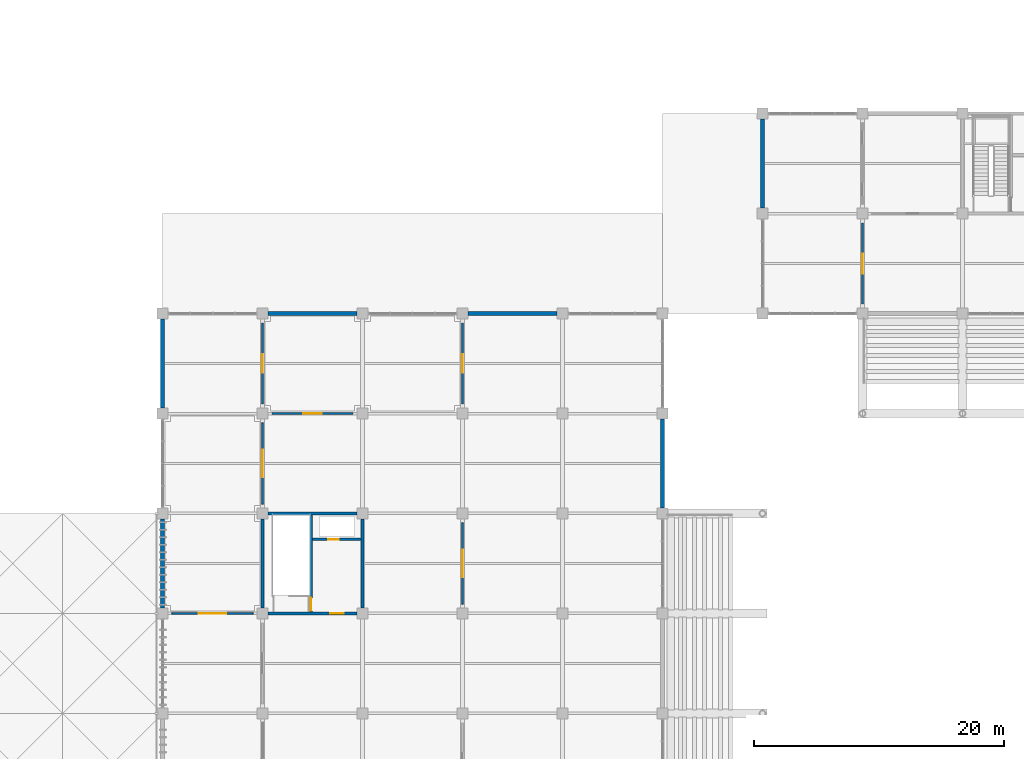
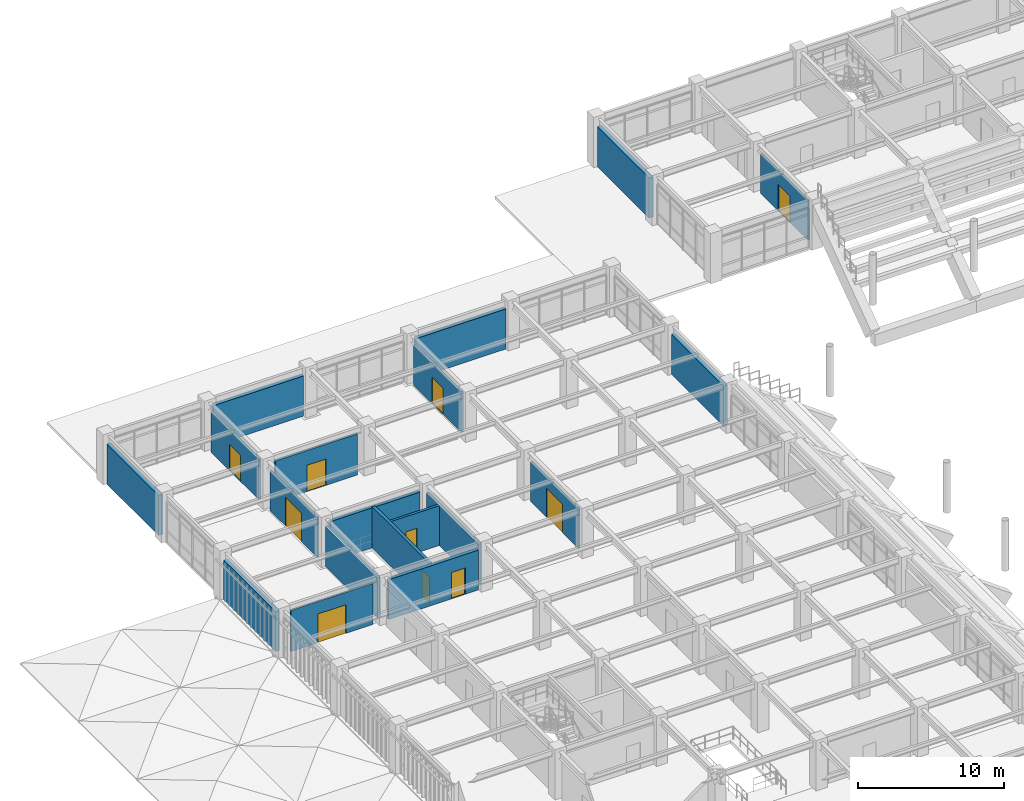
# One storey, part 94 of 118: 19 walls, 10 doors, 10 openings.
"""IFC4 building model written with IfcOpenShell, lengths in metres."""

from ifc_helpers import new_model, si_unit, direction, frame, frame_2d, origin, place, context, subcontext, project, spatial, rectangle, extrude, material, layer, layer_set, type_object, element, fill, save


model = new_model("IFC4")

# Units and contexts
model_context = context("Model", 3, precision=1e-05, world=origin(), true_north=direction((0.0, 1.0)))
body_context = subcontext(model_context, "Body", "Model", "MODEL_VIEW")
ifc_project = project(units=[si_unit("LENGTHUNIT", "METRE"), si_unit("AREAUNIT", "SQUARE_METRE"), si_unit("VOLUMEUNIT", "CUBIC_METRE"), si_unit("PLANEANGLEUNIT", "RADIAN"), si_unit("MASSUNIT", "GRAM", prefix="KILO")], contexts=[model_context])

# Site, building, storey
site_placement = place(None, origin())
site = spatial("IfcSite", under=ifc_project, at=site_placement, CompositionType="ELEMENT")
building_placement = place(site_placement, origin())
building = spatial("IfcBuilding", under=site, at=building_placement, Name="Haebicheon Civic Stadium", CompositionType="ELEMENT")
storey_placement = place(building_placement, frame((0.0, 0.0, 14.39990234375)))
storey = spatial("IfcBuildingStorey", under=building, at=storey_placement, Name="L04", CompositionType="ELEMENT", Elevation=14.39990234375)

# Wall, opening, door
ifc_material_1 = material(Name="Concrete C40/50", Category="concrete")
ifc_layer_1 = layer(ifc_material_1, 0.239990234375, Name="Concrete C40/50")
ifc_layer_set_1 = layer_set([ifc_layer_1], Name="Concrete C40/50")
wall_type_1 = type_object("IfcWallType", Name="CW-SHR-240", PredefinedType="SHEAR", material=ifc_layer_set_1)
wall_1_placement = place(storey_placement, frame((32.449951171875, 128.0, 0.0), z_axis=(0.0, 0.0, 1.0), x_axis=(1.0, 0.0, 0.0)))
wall_1 = element("IfcWall", 1, at=wall_1_placement, inside=storey, type_object=wall_type_1, material=ifc_layer_set_1, Name="KC-05 L04 south core shear wall", PredefinedType="SHEAR", context=body_context, shape_type="SweptSolid", body=[
    extrude(rectangle(XDim=7.10009765625, YDim=0.239990234375, at=frame_2d((3.550048828125, 0.0))), origin(), (0.0, 0.0, 1.0), 3.330078125),
])
opening_1_placement = place(wall_1_placement, frame((4.949951171875, 0.0, 0.0)))
opening_1 = element("IfcOpeningElement", 2, at=opening_1_placement, cuts=wall_1, Name="Opening D-L04-KC-05-LOB", PredefinedType="OPENING", context=body_context, shape_type="SweptSolid", body=[
    extrude(rectangle(XDim=1.10009765625, YDim=2.199951171875, at=frame_2d((0.550048828125, 1.10009765625))), frame((0.0, 0.1298828125, 0.0), z_axis=(0.0, -1.0, 0.0), x_axis=(1.0, 0.0, 0.0)), (0.0, 0.0, 1.0), 0.260009765625),
])
ifc_material_2 = material(Name="Galvanised painted steel SM355", Category="steel")
door_type_1 = type_object("IfcDoorType", Name="ID-FD-1100", OperationType="NOTDEFINED", PredefinedType="DOOR", material=ifc_material_2)
door_1_placement = place(opening_1_placement, origin())
door_1 = element("IfcDoor", 3, at=door_1_placement, inside=storey, type_object=door_type_1, material=ifc_material_2, Name="L04 KC-05 lobby fire door", OperationType="SINGLE_SWING_RIGHT", OverallHeight=2.199951171875, OverallWidth=1.10009765625, PredefinedType="DOOR", context=body_context, shape_type="SweptSolid", body=[
    extrude(rectangle(XDim=1.10009765625, YDim=2.199951171875, at=frame_2d((0.550048828125, 1.10009765625))), frame((0.0, 0.02490234375, 0.0), z_axis=(0.0, -1.0, 0.0), x_axis=(1.0, 0.0, 0.0)), (0.0, 0.0, 1.0), 0.050048828125),
])
fill(opening_1, door_1)

# Walls
for number, where, z_axis, x_axis, name in (
    (4, (32.449951171875, 136.0, 0.0), (0.0, 0.0, 1.0), (1.0, 0.0, 0.0), "KC-05 L04 north core shear wall"),
    (5, (32.0, 128.449951171875, 0.0), (0.0, 0.0, 1.0), (0.0, 1.0, 0.0), "KC-05 L04 west core shear wall"),
    (6, (40.0, 128.449951171875, 0.0), (0.0, 0.0, 1.0), (0.0, 1.0, 0.0), "KC-05 L04 east core shear wall"),
):
    element("IfcWall", number, at=place(storey_placement, frame(where, z_axis=z_axis, x_axis=x_axis)), inside=storey, type_object=wall_type_1, material=ifc_layer_set_1, Name=name, PredefinedType="SHEAR", context=body_context, shape_type="SweptSolid", body=[
        extrude(rectangle(XDim=7.10009765625, YDim=0.239990234375, at=frame_2d((3.550048828125, 0.0))), origin(), (0.0, 0.0, 1.0), 3.330078125),
    ])

# Wall, opening, door
wall_2_placement = place(storey_placement, frame((35.8798828125, 128.1201171875, 0.0), z_axis=(0.0, 0.0, 1.0), x_axis=(0.0, 1.0, 0.0)))
wall_2 = element("IfcWall", 7, at=wall_2_placement, inside=storey, type_object=wall_type_1, material=ifc_layer_set_1, Name="KC-05 L04 stair-lobby dividing shear wall", PredefinedType="SHEAR", context=body_context, shape_type="SweptSolid", body=[
    extrude(rectangle(XDim=7.759765625, YDim=0.239990234375, at=frame_2d((3.8798828125, 0.0))), origin(), (0.0, 0.0, 1.0), 3.43017578125),
])
opening_2_placement = place(wall_2_placement, frame((0.080078125, 0.0, 0.0)))
opening_2 = element("IfcOpeningElement", 8, at=opening_2_placement, cuts=wall_2, Name="Opening D-L04-KC-05-STR", PredefinedType="OPENING", context=body_context, shape_type="SweptSolid", body=[
    extrude(rectangle(XDim=1.050048828125, YDim=2.14990234375, at=frame_2d((0.52490234375, 1.074951171875))), frame((0.0, 0.1298828125, 0.0), z_axis=(0.0, -1.0, 0.0), x_axis=(1.0, 0.0, 0.0)), (0.0, 0.0, 1.0), 0.260009765625),
])
ifc_material_3 = material(Name="Galvanised painted steel SM355", Category="steel")
door_type_2 = type_object("IfcDoorType", Name="ID-FD-1050", OperationType="NOTDEFINED", PredefinedType="DOOR", material=ifc_material_3)
door_2_placement = place(opening_2_placement, origin())
door_2 = element("IfcDoor", 9, at=door_2_placement, inside=storey, type_object=door_type_2, material=ifc_material_3, Name="L04 ST-05 stairwell escape door", OperationType="SINGLE_SWING_LEFT", OverallHeight=2.14990234375, OverallWidth=1.050048828125, PredefinedType="DOOR", context=body_context, shape_type="SweptSolid", body=[
    extrude(rectangle(XDim=1.050048828125, YDim=2.14990234375, at=frame_2d((0.52490234375, 1.074951171875))), frame((0.0, 0.02490234375, 0.0), z_axis=(0.0, -1.0, 0.0), x_axis=(1.0, 0.0, 0.0)), (0.0, 0.0, 1.0), 0.050048828125),
])
fill(opening_2, door_2)

# Walls
ifc_material_4 = material(Name="Precast concrete C40/50", Category="concrete")
ifc_layer_2 = layer(ifc_material_4, 0.320068359375, Name="Precast concrete C40/50")
ifc_layer_set_2 = layer_set([ifc_layer_2], Name="Precast concrete C40/50")
wall_type_2 = type_object("IfcWallType", Name="EW-BM-320", PredefinedType="SOLIDWALL", material=ifc_layer_set_2)
for number, where, z_axis, x_axis, name in (
    (10, (24.0, 128.449951171875, 0.0), (0.0, 0.0, 1.0), (0.0, 1.0, 0.0), "L04 board-marked concrete facade wall 03-16-W"),
    (11, (24.0, 144.449951171875, 0.0), (0.0, 0.0, 1.0), (0.0, 1.0, 0.0), "L04 board-marked concrete facade wall 03-18-W"),
):
    element("IfcWall", number, at=place(storey_placement, frame(where, z_axis=z_axis, x_axis=x_axis)), inside=storey, type_object=wall_type_2, material=ifc_layer_set_2, Name=name, PredefinedType="SOLIDWALL", context=body_context, shape_type="SweptSolid", body=[
        extrude(rectangle(XDim=7.10009765625, YDim=0.320068359375, at=frame_2d((3.550048828125, 0.0))), origin(), (0.0, 0.0, 1.0), 3.330078125),
    ])
for number, where, z_axis, x_axis, name in (
    (12, (32.449951171875, 152.0, 0.0), (0.0, 0.0, 1.0), (1.0, 0.0, 0.0), "L04 board-marked concrete facade wall 04-19-N"),
    (13, (48.449951171875, 152.0, 0.0), (0.0, 0.0, 1.0), (1.0, 0.0, 0.0), "L04 board-marked concrete facade wall 06-19-N"),
):
    element("IfcWall", number, at=place(storey_placement, frame(where, z_axis=z_axis, x_axis=x_axis)), inside=storey, type_object=wall_type_2, material=ifc_layer_set_2, Name=name, PredefinedType="SOLIDWALL", context=body_context, shape_type="SweptSolid", body=[
        extrude(rectangle(XDim=7.10009765625, YDim=0.320068359375, at=frame_2d((3.550048828125, 0.0))), origin(), (0.0, 0.0, 1.0), 3.35009765625),
    ])
wall_3_placement = place(storey_placement, frame((64.0, 136.449951171875, 0.0), z_axis=(0.0, 0.0, 1.0), x_axis=(0.0, 1.0, 0.0)))
element("IfcWall", 14, at=wall_3_placement, inside=storey, type_object=wall_type_2, material=ifc_layer_set_2, Name="L04 board-marked concrete facade wall 08-17-E", PredefinedType="SOLIDWALL", context=body_context, shape_type="SweptSolid", body=[
    extrude(rectangle(XDim=7.10009765625, YDim=0.320068359375, at=frame_2d((3.550048828125, 0.0))), origin(), (0.0, 0.0, 1.0), 3.34619140625),
])
wall_4_placement = place(storey_placement, frame((72.0, 160.449951171875, 0.0), z_axis=(0.0, 0.0, 1.0), x_axis=(0.0, 1.0, 0.0)))
element("IfcWall", 15, at=wall_4_placement, inside=storey, type_object=wall_type_2, material=ifc_layer_set_2, Name="L04 board-marked concrete facade wall 09-20-W", PredefinedType="SOLIDWALL", context=body_context, shape_type="SweptSolid", body=[
    extrude(rectangle(XDim=7.10009765625, YDim=0.320068359375, at=frame_2d((3.550048828125, 0.0))), origin(), (0.0, 0.0, 1.0), 3.35009765625),
])

# Wall, opening, door
ifc_material_5 = material(Name="Concrete C35/45", Category="concrete")
ifc_layer_3 = layer(ifc_material_5, 0.199951171875, Name="Concrete C35/45")
ifc_layer_set_3 = layer_set([ifc_layer_3], Name="Concrete C35/45")
wall_type_3 = type_object("IfcWallType", Name="IW-FIR-200", PredefinedType="PARTITIONING", material=ifc_layer_set_3)
wall_5_placement = place(storey_placement, frame((36.0, 133.919921875, 0.0), z_axis=(0.0, 0.0, 1.0), x_axis=(1.0, 0.0, 0.0)))
wall_5 = element("IfcWall", 16, at=wall_5_placement, inside=storey, type_object=wall_type_3, material=ifc_layer_set_3, Name="KC-05 L04 service riser wall", PredefinedType="PARTITIONING", context=body_context, shape_type="SweptSolid", body=[
    extrude(rectangle(XDim=3.8798828125, YDim=0.199951171875, at=frame_2d((1.93994140625, 0.0))), origin(), (0.0, 0.0, 1.0), 3.330078125),
])
opening_3_placement = place(wall_5_placement, frame((1.25, 0.0, 0.0)))
opening_3 = element("IfcOpeningElement", 17, at=opening_3_placement, cuts=wall_5, Name="Opening D-L04-KC-05-RSR", PredefinedType="OPENING", context=body_context, shape_type="SweptSolid", body=[
    extrude(rectangle(XDim=0.85009765625, YDim=2.050048828125, at=frame_2d((0.425048828125, 1.02490234375))), frame((0.0, 0.10986328125, 0.0), z_axis=(0.0, -1.0, 0.0), x_axis=(1.0, 0.0, 0.0)), (0.0, 0.0, 1.0), 0.219970703125),
])
ifc_material_6 = material(Name="Galvanised painted steel SM355", Category="steel")
door_type_3 = type_object("IfcDoorType", Name="ID-RSR-0850", OperationType="NOTDEFINED", PredefinedType="TRAPDOOR", material=ifc_material_6)
door_3_placement = place(opening_3_placement, origin())
door_3 = element("IfcDoor", 18, at=door_3_placement, inside=storey, type_object=door_type_3, material=ifc_material_6, Name="L04 KC-05 riser access door", OperationType="SINGLE_SWING_RIGHT", OverallHeight=2.050048828125, OverallWidth=0.85009765625, PredefinedType="TRAPDOOR", context=body_context, shape_type="SweptSolid", body=[
    extrude(rectangle(XDim=0.85009765625, YDim=2.050048828125, at=frame_2d((0.425048828125, 1.02490234375))), frame((0.0, 0.02490234375, 0.0), z_axis=(0.0, -1.0, 0.0), x_axis=(1.0, 0.0, 0.0)), (0.0, 0.0, 1.0), 0.050048828125),
])
fill(opening_3, door_3)

ifc_material_7 = material(Name="Gypsum plasterboard on steel studs", Category="gypsum")
ifc_layer_4 = layer(ifc_material_7, 0.14990234375, Name="Gypsum plasterboard on steel studs")
ifc_layer_set_4 = layer_set([ifc_layer_4], Name="Gypsum plasterboard on steel studs")
wall_type_4 = type_object("IfcWallType", Name="IW-PRT-150", PredefinedType="PARTITIONING", material=ifc_layer_set_4)
wall_6_placement = place(storey_placement, frame((24.75, 128.0, 0.0), z_axis=(0.0, 0.0, 1.0), x_axis=(1.0, 0.0, 0.0)))
wall_6 = element("IfcWall", 19, at=wall_6_placement, inside=storey, type_object=wall_type_4, material=ifc_layer_set_4, Name="L04 VIP Banquet Dining Room partition wall", PredefinedType="PARTITIONING", context=body_context, shape_type="SweptSolid", body=[
    extrude(rectangle(XDim=6.5, YDim=0.14990234375, at=frame_2d((3.25, 0.0))), origin(), (0.0, 0.0, 1.0), 3.43017578125),
])
opening_4_placement = place(wall_6_placement, frame((2.14990234375, 0.0, 0.0)))
opening_4 = element("IfcOpeningElement", 20, at=opening_4_placement, cuts=wall_6, Name="Opening D-L04-356", PredefinedType="OPENING", context=body_context, shape_type="SweptSolid", body=[
    extrude(rectangle(XDim=2.199951171875, YDim=2.39990234375, at=frame_2d((1.10009765625, 1.199951171875))), frame((0.0, 0.0849609375, 0.0), z_axis=(0.0, -1.0, 0.0), x_axis=(1.0, 0.0, 0.0)), (0.0, 0.0, 1.0), 0.169921875),
])
ifc_material_8 = material(Name="Engineered hardwood timber", Category="wood")
door_type_4 = type_object("IfcDoorType", Name="ID-DBL-2200", OperationType="NOTDEFINED", PredefinedType="DOOR", material=ifc_material_8)
door_4_placement = place(opening_4_placement, origin())
door_4 = element("IfcDoor", 21, at=door_4_placement, inside=storey, type_object=door_type_4, material=ifc_material_8, Name="L04 VIP Banquet Dining Room entrance door D-L04-356", OperationType="DOUBLE_SWING_LEFT", OverallHeight=2.39990234375, OverallWidth=2.199951171875, PredefinedType="DOOR", context=body_context, shape_type="SweptSolid", body=[
    extrude(rectangle(XDim=2.199951171875, YDim=2.39990234375, at=frame_2d((1.10009765625, 1.199951171875))), frame((0.0, 0.02490234375, 0.0), z_axis=(0.0, -1.0, 0.0), x_axis=(1.0, 0.0, 0.0)), (0.0, 0.0, 1.0), 0.050048828125),
])
fill(opening_4, door_4)

wall_7_placement = place(storey_placement, frame((32.0, 136.75, 0.0), z_axis=(0.0, 0.0, 1.0), x_axis=(0.0, 1.0, 0.0)))
wall_7 = element("IfcWall", 22, at=wall_7_placement, inside=storey, type_object=wall_type_4, material=ifc_layer_set_4, Name="L04 VIP Banquet Dining Room partition wall", PredefinedType="PARTITIONING", context=body_context, shape_type="SweptSolid", body=[
    extrude(rectangle(XDim=6.5, YDim=0.14990234375, at=frame_2d((3.25, 0.0))), origin(), (0.0, 0.0, 1.0), 3.330078125),
])
opening_5_placement = place(wall_7_placement, frame((2.14990234375, 0.0, 0.0)))
opening_5 = element("IfcOpeningElement", 23, at=opening_5_placement, cuts=wall_7, Name="Opening D-L04-365", PredefinedType="OPENING", context=body_context, shape_type="SweptSolid", body=[
    extrude(rectangle(XDim=2.199951171875, YDim=2.39990234375, at=frame_2d((1.10009765625, 1.199951171875))), frame((0.0, 0.0849609375, 0.0), z_axis=(0.0, -1.0, 0.0), x_axis=(1.0, 0.0, 0.0)), (0.0, 0.0, 1.0), 0.169921875),
])
door_5_placement = place(opening_5_placement, origin())
door_5 = element("IfcDoor", 24, at=door_5_placement, inside=storey, type_object=door_type_4, material=ifc_material_8, Name="L04 VIP Banquet Dining Room entrance door D-L04-365", OperationType="DOUBLE_SWING_LEFT", OverallHeight=2.39990234375, OverallWidth=2.199951171875, PredefinedType="DOOR", context=body_context, shape_type="SweptSolid", body=[
    extrude(rectangle(XDim=2.199951171875, YDim=2.39990234375, at=frame_2d((1.10009765625, 1.199951171875))), frame((0.0, 0.02490234375, 0.0), z_axis=(0.0, -1.0, 0.0), x_axis=(1.0, 0.0, 0.0)), (0.0, 0.0, 1.0), 0.050048828125),
])
fill(opening_5, door_5)

wall_8_placement = place(storey_placement, frame((48.0, 128.75, 0.0), z_axis=(0.0, 0.0, 1.0), x_axis=(0.0, 1.0, 0.0)))
wall_8 = element("IfcWall", 25, at=wall_8_placement, inside=storey, type_object=wall_type_4, material=ifc_layer_set_4, Name="L04 VIP Banquet Dining Room partition wall", PredefinedType="PARTITIONING", context=body_context, shape_type="SweptSolid", body=[
    extrude(rectangle(XDim=6.5, YDim=0.14990234375, at=frame_2d((3.25, 0.0))), origin(), (0.0, 0.0, 1.0), 3.330078125),
])
opening_6_placement = place(wall_8_placement, frame((2.14990234375, 0.0, 0.0)))
opening_6 = element("IfcOpeningElement", 26, at=opening_6_placement, cuts=wall_8, Name="Opening D-L04-373", PredefinedType="OPENING", context=body_context, shape_type="SweptSolid", body=[
    extrude(rectangle(XDim=2.199951171875, YDim=2.39990234375, at=frame_2d((1.10009765625, 1.199951171875))), frame((0.0, 0.0849609375, 0.0), z_axis=(0.0, -1.0, 0.0), x_axis=(1.0, 0.0, 0.0)), (0.0, 0.0, 1.0), 0.169921875),
])
door_6_placement = place(opening_6_placement, origin())
door_6 = element("IfcDoor", 27, at=door_6_placement, inside=storey, type_object=door_type_4, material=ifc_material_8, Name="L04 VIP Banquet Dining Room entrance door D-L04-373", OperationType="DOUBLE_SWING_LEFT", OverallHeight=2.39990234375, OverallWidth=2.199951171875, PredefinedType="DOOR", context=body_context, shape_type="SweptSolid", body=[
    extrude(rectangle(XDim=2.199951171875, YDim=2.39990234375, at=frame_2d((1.10009765625, 1.199951171875))), frame((0.0, 0.02490234375, 0.0), z_axis=(0.0, -1.0, 0.0), x_axis=(1.0, 0.0, 0.0)), (0.0, 0.0, 1.0), 0.050048828125),
])
fill(opening_6, door_6)

wall_9_placement = place(storey_placement, frame((80.0, 152.75, 0.0), z_axis=(0.0, 0.0, 1.0), x_axis=(0.0, 1.0, 0.0)))
wall_9 = element("IfcWall", 28, at=wall_9_placement, inside=storey, type_object=wall_type_4, material=ifc_layer_set_4, Name="L04 East Pitch View Lounge partition wall", PredefinedType="PARTITIONING", context=body_context, shape_type="SweptSolid", body=[
    extrude(rectangle(XDim=6.5, YDim=0.14990234375, at=frame_2d((3.25, 0.0))), origin(), (0.0, 0.0, 1.0), 3.330078125),
])
opening_7_placement = place(wall_9_placement, frame((2.449951171875, 0.0, 0.0)))
opening_7 = element("IfcOpeningElement", 29, at=opening_7_placement, cuts=wall_9, Name="Opening D-L04-376", PredefinedType="OPENING", context=body_context, shape_type="SweptSolid", body=[
    extrude(rectangle(XDim=1.60009765625, YDim=2.199951171875, at=frame_2d((0.800048828125, 1.10009765625))), frame((0.0, 0.0849609375, 0.0), z_axis=(0.0, -1.0, 0.0), x_axis=(1.0, 0.0, 0.0)), (0.0, 0.0, 1.0), 0.169921875),
])
ifc_material_9 = material(Name="Anodised aluminium and laminated glass", Category="aluminium")
door_type_5 = type_object("IfcDoorType", Name="ID-DBL-1600", OperationType="NOTDEFINED", PredefinedType="DOOR", material=ifc_material_9)
door_7_placement = place(opening_7_placement, origin())
door_7 = element("IfcDoor", 30, at=door_7_placement, inside=storey, type_object=door_type_5, material=ifc_material_9, Name="L04 East Pitch View Lounge entrance door D-L04-376", OperationType="DOUBLE_SWING_LEFT", OverallHeight=2.199951171875, OverallWidth=1.60009765625, PredefinedType="DOOR", context=body_context, shape_type="SweptSolid", body=[
    extrude(rectangle(XDim=1.60009765625, YDim=2.199951171875, at=frame_2d((0.800048828125, 1.10009765625))), frame((0.0, 0.02490234375, 0.0), z_axis=(0.0, -1.0, 0.0), x_axis=(1.0, 0.0, 0.0)), (0.0, 0.0, 1.0), 0.050048828125),
])
fill(opening_7, door_7)

ifc_material_10 = material(Name="Concrete C35/45", Category="concrete")
ifc_layer_5 = layer(ifc_material_10, 0.179931640625, Name="Concrete C35/45")
ifc_layer_set_5 = layer_set([ifc_layer_5], Name="Concrete C35/45")
wall_type_5 = type_object("IfcWallType", Name="IW-PRT-180", PredefinedType="PARTITIONING", material=ifc_layer_set_5)
wall_10_placement = place(storey_placement, frame((32.0, 144.75, 0.0), z_axis=(0.0, 0.0, 1.0), x_axis=(0.0, 1.0, 0.0)))
wall_10 = element("IfcWall", 31, at=wall_10_placement, inside=storey, type_object=wall_type_5, material=ifc_layer_set_5, Name="L04 Sommelier Pantry Kitchen partition wall", PredefinedType="PARTITIONING", context=body_context, shape_type="SweptSolid", body=[
    extrude(rectangle(XDim=6.5, YDim=0.179931640625, at=frame_2d((3.25, 0.0))), origin(), (0.0, 0.0, 1.0), 3.3701171875),
])
opening_8_placement = place(wall_10_placement, frame((2.5, 0.0, 0.0)))
opening_8 = element("IfcOpeningElement", 32, at=opening_8_placement, cuts=wall_10, Name="Opening D-L04-357", PredefinedType="OPENING", context=body_context, shape_type="SweptSolid", body=[
    extrude(rectangle(XDim=1.5, YDim=2.199951171875, at=frame_2d((0.75, 1.10009765625))), frame((0.0, 0.099853515625, 0.0), z_axis=(0.0, -1.0, 0.0), x_axis=(1.0, 0.0, 0.0)), (0.0, 0.0, 1.0), 0.199951171875),
])
ifc_material_11 = material(Name="Galvanised painted steel SM355", Category="steel")
door_type_6 = type_object("IfcDoorType", Name="ID-FD-1500", OperationType="NOTDEFINED", PredefinedType="DOOR", material=ifc_material_11)
door_8_placement = place(opening_8_placement, origin())
door_8 = element("IfcDoor", 33, at=door_8_placement, inside=storey, type_object=door_type_6, material=ifc_material_11, Name="L04 Sommelier Pantry Kitchen entrance door D-L04-357", OperationType="SINGLE_SWING_LEFT", OverallHeight=2.199951171875, OverallWidth=1.5, PredefinedType="DOOR", context=body_context, shape_type="SweptSolid", body=[
    extrude(rectangle(XDim=1.5, YDim=2.199951171875, at=frame_2d((0.75, 1.10009765625))), frame((0.0, 0.02490234375, 0.0), z_axis=(0.0, -1.0, 0.0), x_axis=(1.0, 0.0, 0.0)), (0.0, 0.0, 1.0), 0.050048828125),
])
fill(opening_8, door_8)

wall_11_placement = place(storey_placement, frame((32.75, 144.0, 0.0), z_axis=(0.0, 0.0, 1.0), x_axis=(1.0, 0.0, 0.0)))
wall_11 = element("IfcWall", 34, at=wall_11_placement, inside=storey, type_object=wall_type_5, material=ifc_layer_set_5, Name="L04 Sommelier Pantry Kitchen partition wall", PredefinedType="PARTITIONING", context=body_context, shape_type="SweptSolid", body=[
    extrude(rectangle(XDim=6.5, YDim=0.179931640625, at=frame_2d((3.25, 0.0))), origin(), (0.0, 0.0, 1.0), 3.43017578125),
])
opening_9_placement = place(wall_11_placement, frame((2.5, 0.0, 0.0)))
opening_9 = element("IfcOpeningElement", 35, at=opening_9_placement, cuts=wall_11, Name="Opening D-L04-366", PredefinedType="OPENING", context=body_context, shape_type="SweptSolid", body=[
    extrude(rectangle(XDim=1.5, YDim=2.199951171875, at=frame_2d((0.75, 1.10009765625))), frame((0.0, 0.099853515625, 0.0), z_axis=(0.0, -1.0, 0.0), x_axis=(1.0, 0.0, 0.0)), (0.0, 0.0, 1.0), 0.199951171875),
])
door_9_placement = place(opening_9_placement, origin())
door_9 = element("IfcDoor", 36, at=door_9_placement, inside=storey, type_object=door_type_6, material=ifc_material_11, Name="L04 Sommelier Pantry Kitchen entrance door D-L04-366", OperationType="SINGLE_SWING_LEFT", OverallHeight=2.199951171875, OverallWidth=1.5, PredefinedType="DOOR", context=body_context, shape_type="SweptSolid", body=[
    extrude(rectangle(XDim=1.5, YDim=2.199951171875, at=frame_2d((0.75, 1.10009765625))), frame((0.0, 0.02490234375, 0.0), z_axis=(0.0, -1.0, 0.0), x_axis=(1.0, 0.0, 0.0)), (0.0, 0.0, 1.0), 0.050048828125),
])
fill(opening_9, door_9)

wall_12_placement = place(storey_placement, frame((48.0, 144.75, 0.0), z_axis=(0.0, 0.0, 1.0), x_axis=(0.0, 1.0, 0.0)))
wall_12 = element("IfcWall", 37, at=wall_12_placement, inside=storey, type_object=wall_type_5, material=ifc_layer_set_5, Name="L04 Sommelier Pantry Kitchen partition wall", PredefinedType="PARTITIONING", context=body_context, shape_type="SweptSolid", body=[
    extrude(rectangle(XDim=6.5, YDim=0.179931640625, at=frame_2d((3.25, 0.0))), origin(), (0.0, 0.0, 1.0), 3.3701171875),
])
opening_10_placement = place(wall_12_placement, frame((2.5, 0.0, 0.0)))
opening_10 = element("IfcOpeningElement", 38, at=opening_10_placement, cuts=wall_12, Name="Opening D-L04-374", PredefinedType="OPENING", context=body_context, shape_type="SweptSolid", body=[
    extrude(rectangle(XDim=1.5, YDim=2.199951171875, at=frame_2d((0.75, 1.10009765625))), frame((0.0, 0.099853515625, 0.0), z_axis=(0.0, -1.0, 0.0), x_axis=(1.0, 0.0, 0.0)), (0.0, 0.0, 1.0), 0.199951171875),
])
door_10_placement = place(opening_10_placement, origin())
door_10 = element("IfcDoor", 39, at=door_10_placement, inside=storey, type_object=door_type_6, material=ifc_material_11, Name="L04 Sommelier Pantry Kitchen entrance door D-L04-374", OperationType="SINGLE_SWING_LEFT", OverallHeight=2.199951171875, OverallWidth=1.5, PredefinedType="DOOR", context=body_context, shape_type="SweptSolid", body=[
    extrude(rectangle(XDim=1.5, YDim=2.199951171875, at=frame_2d((0.75, 1.10009765625))), frame((0.0, 0.02490234375, 0.0), z_axis=(0.0, -1.0, 0.0), x_axis=(1.0, 0.0, 0.0)), (0.0, 0.0, 1.0), 0.050048828125),
])
fill(opening_10, door_10)

save(model, "model.ifc")
